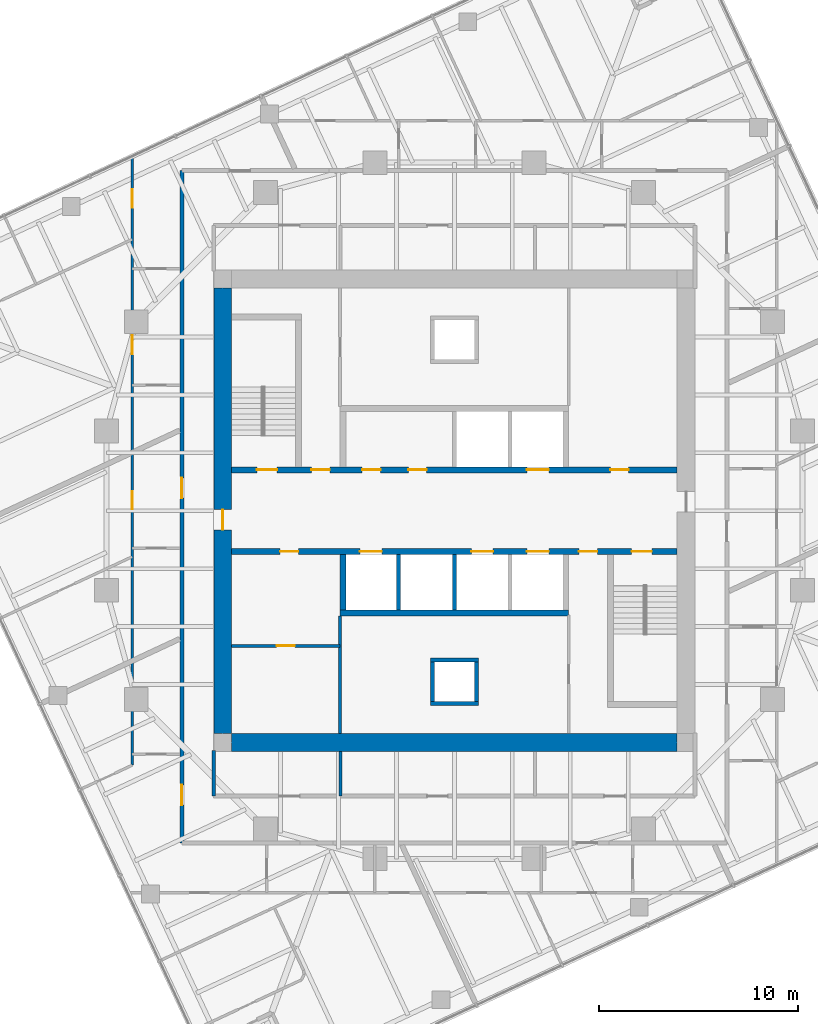
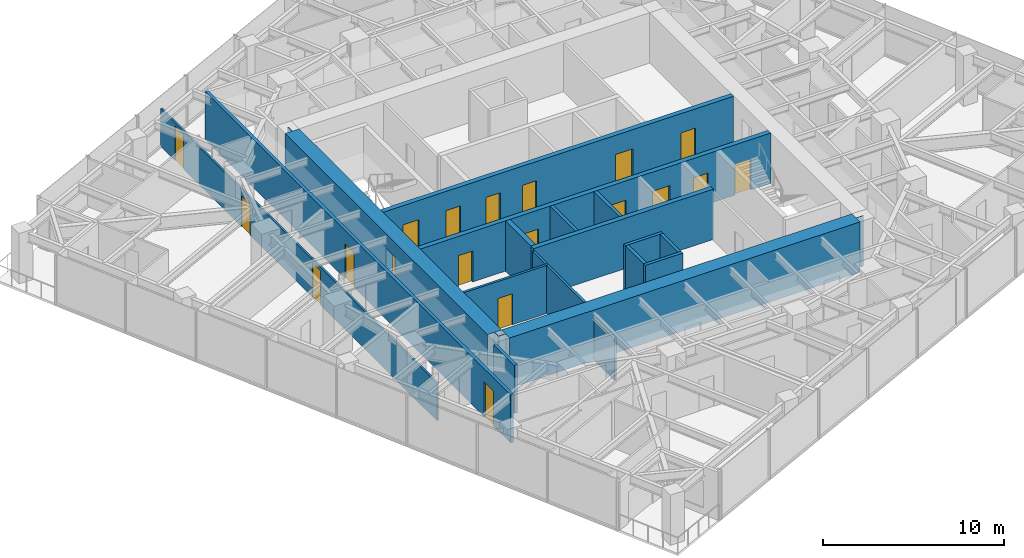
# One storey, part 8 of 12: 19 doors, 18 walls, 19 openings.
"""IFC4 building model written with IfcOpenShell, lengths in metres."""

from ifc_helpers import new_model, si_unit, direction, frame, frame_2d, origin, place, context, subcontext, project, spatial, polyline, rectangle, outline, extrude, material, layer, layer_set, type_object, element, fill, save


model = new_model("IFC4")

# Units and contexts
model_context = context("Model", 3, precision=1e-05, world=origin(), true_north=direction((0.0, 1.0)))
body_context = subcontext(model_context, "Body", "Model", "MODEL_VIEW")
ifc_project = project(units=[si_unit("LENGTHUNIT", "METRE"), si_unit("AREAUNIT", "SQUARE_METRE"), si_unit("VOLUMEUNIT", "CUBIC_METRE"), si_unit("PLANEANGLEUNIT", "RADIAN"), si_unit("MASSUNIT", "GRAM", prefix="KILO")], contexts=[model_context])

# Site, building, storey
site_placement = place(None, origin())
site = spatial("IfcSite", under=ifc_project, at=site_placement, CompositionType="ELEMENT")
building_placement = place(site_placement, origin())
building = spatial("IfcBuilding", under=site, at=building_placement, Name="Torsade Residences", CompositionType="ELEMENT")
storey_placement = place(building_placement, frame((0.0, 0.0, 186.199951171875)))
storey = spatial("IfcBuildingStorey", under=building, at=storey_placement, Name="L51", CompositionType="ELEMENT", Elevation=186.199951171875)

# Wall, openings, doors
ifc_material_1 = material(Name="Concrete 80 MPa", Category="concrete")
ifc_layer_1 = layer(ifc_material_1, 0.300048828125)
ifc_layer_set_1 = layer_set([ifc_layer_1], Name="Concrete 80 MPa")
wall_type_1 = type_object("IfcWallType", Name="CORE INTERNAL WALL 300", PredefinedType="SHEAR", material=ifc_layer_set_1)
wall_1_placement = place(storey_placement, frame((28.800048828125, 32.050048828125, 0.0), z_axis=(0.0, 0.0, 1.0), x_axis=(1.0, 0.0, 0.0)))
wall_1 = element("IfcWall", 1, at=wall_1_placement, inside=storey, type_object=wall_type_1, Name="Core wall LN L51", PredefinedType="SHEAR", context=body_context, shape_type="SweptSolid", body=[
    extrude(rectangle(XDim=22.39990234375, YDim=0.300048828125, at=frame_2d((11.199951171875, 0.0))), origin(), (0.0, 0.0, 1.0), 3.400146484375),
])
opening_1_placement = place(wall_1_placement, frame((19.0400390625, 0.0, 0.0)))
opening_1 = element("IfcOpeningElement", 2, at=opening_1_placement, cuts=wall_1, Name="Opening D06", PredefinedType="OPENING", context=body_context, shape_type="SweptSolid", body=[
    extrude(rectangle(XDim=0.919921875, YDim=2.10009765625, at=frame_2d((0.4599609375, 1.050048828125))), frame((0.0, 0.159912109375, 0.0), z_axis=(0.0, -1.0, 0.0), x_axis=(1.0, 0.0, 0.0)), (0.0, 0.0, 1.0), 0.320068359375),
])
opening_2_placement = place(wall_1_placement, frame((1.264892578125, 0.0, 0.0)))
opening_2 = element("IfcOpeningElement", 3, at=opening_2_placement, cuts=wall_1, Name="Opening D03", PredefinedType="OPENING", context=body_context, shape_type="SweptSolid", body=[
    extrude(rectangle(XDim=1.02001953125, YDim=2.10009765625, at=frame_2d((0.510009765625, 1.050048828125))), frame((0.0, 0.159912109375, 0.0), z_axis=(0.0, -1.0, 0.0), x_axis=(1.0, 0.0, 0.0)), (0.0, 0.0, 1.0), 0.320068359375),
])
opening_3_placement = place(wall_1_placement, frame((4.014892578125, 0.0, 0.0)))
opening_3 = element("IfcOpeningElement", 4, at=opening_3_placement, cuts=wall_1, Name="Opening D06", PredefinedType="OPENING", context=body_context, shape_type="SweptSolid", body=[
    extrude(rectangle(XDim=0.919921875, YDim=2.10009765625, at=frame_2d((0.4599609375, 1.050048828125))), frame((0.0, 0.159912109375, 0.0), z_axis=(0.0, -1.0, 0.0), x_axis=(1.0, 0.0, 0.0)), (0.0, 0.0, 1.0), 0.320068359375),
])
opening_4_placement = place(wall_1_placement, frame((6.56494140625, 0.0, 0.0)))
opening_4 = element("IfcOpeningElement", 5, at=opening_4_placement, cuts=wall_1, Name="Opening D06", PredefinedType="OPENING", context=body_context, shape_type="SweptSolid", body=[
    extrude(rectangle(XDim=0.919921875, YDim=2.10009765625, at=frame_2d((0.4599609375, 1.050048828125))), frame((0.0, 0.159912109375, 0.0), z_axis=(0.0, -1.0, 0.0), x_axis=(1.0, 0.0, 0.0)), (0.0, 0.0, 1.0), 0.320068359375),
])
opening_5_placement = place(wall_1_placement, frame((8.889892578125, 0.0, 0.0)))
opening_5 = element("IfcOpeningElement", 6, at=opening_5_placement, cuts=wall_1, Name="Opening D06", PredefinedType="OPENING", context=body_context, shape_type="SweptSolid", body=[
    extrude(rectangle(XDim=0.919921875, YDim=2.10009765625, at=frame_2d((0.4599609375, 1.050048828125))), frame((0.0, 0.159912109375, 0.0), z_axis=(0.0, -1.0, 0.0), x_axis=(1.0, 0.0, 0.0)), (0.0, 0.0, 1.0), 0.320068359375),
])
opening_6_placement = place(wall_1_placement, frame((14.85009765625, 0.0, 0.0)))
opening_6 = element("IfcOpeningElement", 7, at=opening_6_placement, cuts=wall_1, Name="Opening LD", PredefinedType="OPENING", context=body_context, shape_type="SweptSolid", body=[
    extrude(rectangle(XDim=1.10009765625, YDim=2.10009765625, at=frame_2d((0.550048828125, 1.050048828125))), frame((0.0, 0.159912109375, 0.0), z_axis=(0.0, -1.0, 0.0), x_axis=(1.0, 0.0, 0.0)), (0.0, 0.0, 1.0), 0.320068359375),
])
ifc_material_2 = material(Name="Steel-framed fire door", Category="steel")
door_type_1 = type_object("IfcDoorType", Name="FIRE DOOR 1020", OperationType="NOTDEFINED", PredefinedType="DOOR", material=ifc_material_2)
door_1_placement = place(opening_2_placement, origin())
door_1 = element("IfcDoor", 8, at=door_1_placement, inside=storey, type_object=door_type_1, Name="Exit door to fire-isolated stair ST1 L51", OperationType="SINGLE_SWING_RIGHT", OverallHeight=2.10009765625, OverallWidth=1.02001953125, PredefinedType="DOOR", context=body_context, shape_type="SweptSolid", body=[
    extrude(rectangle(XDim=1.02001953125, YDim=2.10009765625, at=frame_2d((0.510009765625, 1.050048828125))), frame((0.0, 0.02490234375, 0.0), z_axis=(0.0, -1.0, 0.0), x_axis=(1.0, 0.0, 0.0)), (0.0, 0.0, 1.0), 0.050048828125),
])
fill(opening_2, door_1)
ifc_material_3 = material(Name="Steel-framed fire door", Category="steel")
door_type_2 = type_object("IfcDoorType", Name="FIRE DOOR 920", OperationType="NOTDEFINED", PredefinedType="DOOR", material=ifc_material_3)
door_2_placement = place(opening_1_placement, origin())
door_2 = element("IfcDoor", 9, at=door_2_placement, inside=storey, type_object=door_type_2, Name="Door Lift lobby to Refuse room", OperationType="SINGLE_SWING_LEFT", OverallHeight=2.10009765625, OverallWidth=0.919921875, PredefinedType="DOOR", context=body_context, shape_type="SweptSolid", body=[
    extrude(rectangle(XDim=0.919921875, YDim=2.10009765625, at=frame_2d((0.4599609375, 1.050048828125))), frame((0.0, 0.02490234375, 0.0), z_axis=(0.0, -1.0, 0.0), x_axis=(1.0, 0.0, 0.0)), (0.0, 0.0, 1.0), 0.050048828125),
])
fill(opening_1, door_2)
door_3_placement = place(opening_3_placement, origin())
door_3 = element("IfcDoor", 10, at=door_3_placement, inside=storey, type_object=door_type_2, Name="Door Lift lobby to Main switchboard store", OperationType="SINGLE_SWING_LEFT", OverallHeight=2.10009765625, OverallWidth=0.919921875, PredefinedType="DOOR", context=body_context, shape_type="SweptSolid", body=[
    extrude(rectangle(XDim=0.919921875, YDim=2.10009765625, at=frame_2d((0.4599609375, 1.050048828125))), frame((0.0, 0.02490234375, 0.0), z_axis=(0.0, -1.0, 0.0), x_axis=(1.0, 0.0, 0.0)), (0.0, 0.0, 1.0), 0.050048828125),
])
fill(opening_3, door_3)
door_4_placement = place(opening_4_placement, origin())
door_4 = element("IfcDoor", 11, at=door_4_placement, inside=storey, type_object=door_type_2, Name="Door Lift lobby to Building manager store L51A", OperationType="SINGLE_SWING_LEFT", OverallHeight=2.10009765625, OverallWidth=0.919921875, PredefinedType="DOOR", context=body_context, shape_type="SweptSolid", body=[
    extrude(rectangle(XDim=0.919921875, YDim=2.10009765625, at=frame_2d((0.4599609375, 1.050048828125))), frame((0.0, 0.02490234375, 0.0), z_axis=(0.0, -1.0, 0.0), x_axis=(1.0, 0.0, 0.0)), (0.0, 0.0, 1.0), 0.050048828125),
])
fill(opening_4, door_4)
door_5_placement = place(opening_5_placement, origin())
door_5 = element("IfcDoor", 12, at=door_5_placement, inside=storey, type_object=door_type_2, Name="Door Lift lobby to Building manager store L51A", OperationType="SINGLE_SWING_LEFT", OverallHeight=2.10009765625, OverallWidth=0.919921875, PredefinedType="DOOR", context=body_context, shape_type="SweptSolid", body=[
    extrude(rectangle(XDim=0.919921875, YDim=2.10009765625, at=frame_2d((0.4599609375, 1.050048828125))), frame((0.0, 0.02490234375, 0.0), z_axis=(0.0, -1.0, 0.0), x_axis=(1.0, 0.0, 0.0)), (0.0, 0.0, 1.0), 0.050048828125),
])
fill(opening_5, door_5)
ifc_material_4 = material(Name="Stainless steel lift landing door", Category="steel")
door_type_3 = type_object("IfcDoorType", Name="LIFT LANDING DOOR 1100", OperationType="SLIDING_TO_LEFT", PredefinedType="DOOR", material=ifc_material_4)
door_6_placement = place(opening_6_placement, origin())
door_6 = element("IfcDoor", 13, at=door_6_placement, inside=storey, type_object=door_type_3, Name="Lift FL1 landing door L51", OperationType="SLIDING_TO_LEFT", OverallHeight=2.10009765625, OverallWidth=1.10009765625, PredefinedType="DOOR", context=body_context, shape_type="SweptSolid", body=[
    extrude(rectangle(XDim=1.10009765625, YDim=2.10009765625, at=frame_2d((0.550048828125, 1.050048828125))), frame((0.0, 0.02490234375, 0.0), z_axis=(0.0, -1.0, 0.0), x_axis=(1.0, 0.0, 0.0)), (0.0, 0.0, 1.0), 0.050048828125),
])
fill(opening_6, door_6)

wall_2_placement = place(storey_placement, frame((51.199951171875, 27.949951171875, 0.0), z_axis=(0.0, 0.0, 1.0), x_axis=(-1.0, 0.0, 0.0)))
wall_2 = element("IfcWall", 14, at=wall_2_placement, inside=storey, type_object=wall_type_1, Name="Core wall LS L51", PredefinedType="SHEAR", context=body_context, shape_type="SweptSolid", body=[
    extrude(rectangle(XDim=22.39990234375, YDim=0.300048828125, at=frame_2d((11.199951171875, 0.0))), origin(), (0.0, 0.0, 1.0), 3.400146484375),
])
opening_7_placement = place(wall_2_placement, frame((19.0400390625, 0.0, 0.0)))
opening_7 = element("IfcOpeningElement", 15, at=opening_7_placement, cuts=wall_2, Name="Opening D06", PredefinedType="OPENING", context=body_context, shape_type="SweptSolid", body=[
    extrude(rectangle(XDim=0.919921875, YDim=2.10009765625, at=frame_2d((0.4599609375, 1.050048828125))), frame((0.0, 0.159912109375, 0.0), z_axis=(0.0, -1.0, 0.0), x_axis=(1.0, 0.0, 0.0)), (0.0, 0.0, 1.0), 0.320068359375),
])
opening_8_placement = place(wall_2_placement, frame((1.264892578125, 0.0, 0.0)))
opening_8 = element("IfcOpeningElement", 16, at=opening_8_placement, cuts=wall_2, Name="Opening D03", PredefinedType="OPENING", context=body_context, shape_type="SweptSolid", body=[
    extrude(rectangle(XDim=1.02001953125, YDim=2.10009765625, at=frame_2d((0.510009765625, 1.050048828125))), frame((0.0, 0.159912109375, 0.0), z_axis=(0.0, -1.0, 0.0), x_axis=(1.0, 0.0, 0.0)), (0.0, 0.0, 1.0), 0.320068359375),
])
opening_9_placement = place(wall_2_placement, frame((4.014892578125, 0.0, 0.0)))
opening_9 = element("IfcOpeningElement", 17, at=opening_9_placement, cuts=wall_2, Name="Opening D06", PredefinedType="OPENING", context=body_context, shape_type="SweptSolid", body=[
    extrude(rectangle(XDim=0.919921875, YDim=2.10009765625, at=frame_2d((0.4599609375, 1.050048828125))), frame((0.0, 0.159912109375, 0.0), z_axis=(0.0, -1.0, 0.0), x_axis=(1.0, 0.0, 0.0)), (0.0, 0.0, 1.0), 0.320068359375),
])
opening_10_placement = place(wall_2_placement, frame((6.449951171875, 0.0, 0.0)))
opening_10 = element("IfcOpeningElement", 18, at=opening_10_placement, cuts=wall_2, Name="Opening LD", PredefinedType="OPENING", context=body_context, shape_type="SweptSolid", body=[
    extrude(rectangle(XDim=1.10009765625, YDim=2.10009765625, at=frame_2d((0.550048828125, 1.050048828125))), frame((0.0, 0.159912109375, 0.0), z_axis=(0.0, -1.0, 0.0), x_axis=(1.0, 0.0, 0.0)), (0.0, 0.0, 1.0), 0.320068359375),
])
opening_11_placement = place(wall_2_placement, frame((9.25, 0.0, 0.0)))
opening_11 = element("IfcOpeningElement", 19, at=opening_11_placement, cuts=wall_2, Name="Opening LD", PredefinedType="OPENING", context=body_context, shape_type="SweptSolid", body=[
    extrude(rectangle(XDim=1.10009765625, YDim=2.10009765625, at=frame_2d((0.550048828125, 1.050048828125))), frame((0.0, 0.159912109375, 0.0), z_axis=(0.0, -1.0, 0.0), x_axis=(1.0, 0.0, 0.0)), (0.0, 0.0, 1.0), 0.320068359375),
])
opening_12_placement = place(wall_2_placement, frame((14.85009765625, 0.0, 0.0)))
opening_12 = element("IfcOpeningElement", 20, at=opening_12_placement, cuts=wall_2, Name="Opening LD", PredefinedType="OPENING", context=body_context, shape_type="SweptSolid", body=[
    extrude(rectangle(XDim=1.10009765625, YDim=2.10009765625, at=frame_2d((0.550048828125, 1.050048828125))), frame((0.0, 0.159912109375, 0.0), z_axis=(0.0, -1.0, 0.0), x_axis=(1.0, 0.0, 0.0)), (0.0, 0.0, 1.0), 0.320068359375),
])
door_7_placement = place(opening_8_placement, origin())
door_7 = element("IfcDoor", 21, at=door_7_placement, inside=storey, type_object=door_type_1, Name="Exit door to fire-isolated stair ST2 L51", OperationType="SINGLE_SWING_RIGHT", OverallHeight=2.10009765625, OverallWidth=1.02001953125, PredefinedType="DOOR", context=body_context, shape_type="SweptSolid", body=[
    extrude(rectangle(XDim=1.02001953125, YDim=2.10009765625, at=frame_2d((0.510009765625, 1.050048828125))), frame((0.0, 0.02490234375, 0.0), z_axis=(0.0, -1.0, 0.0), x_axis=(1.0, 0.0, 0.0)), (0.0, 0.0, 1.0), 0.050048828125),
])
fill(opening_8, door_7)
door_8_placement = place(opening_7_placement, origin())
door_8 = element("IfcDoor", 22, at=door_8_placement, inside=storey, type_object=door_type_2, Name="Door Lift lobby to Cleaner store", OperationType="SINGLE_SWING_LEFT", OverallHeight=2.10009765625, OverallWidth=0.919921875, PredefinedType="DOOR", context=body_context, shape_type="SweptSolid", body=[
    extrude(rectangle(XDim=0.919921875, YDim=2.10009765625, at=frame_2d((0.4599609375, 1.050048828125))), frame((0.0, 0.02490234375, 0.0), z_axis=(0.0, -1.0, 0.0), x_axis=(1.0, 0.0, 0.0)), (0.0, 0.0, 1.0), 0.050048828125),
])
fill(opening_7, door_8)
door_9_placement = place(opening_9_placement, origin())
door_9 = element("IfcDoor", 23, at=door_9_placement, inside=storey, type_object=door_type_2, Name="Door Lift lobby to Security and data store", OperationType="SINGLE_SWING_RIGHT", OverallHeight=2.10009765625, OverallWidth=0.919921875, PredefinedType="DOOR", context=body_context, shape_type="SweptSolid", body=[
    extrude(rectangle(XDim=0.919921875, YDim=2.10009765625, at=frame_2d((0.4599609375, 1.050048828125))), frame((0.0, 0.02490234375, 0.0), z_axis=(0.0, -1.0, 0.0), x_axis=(1.0, 0.0, 0.0)), (0.0, 0.0, 1.0), 0.050048828125),
])
fill(opening_9, door_9)
door_10_placement = place(opening_10_placement, origin())
door_10 = element("IfcDoor", 24, at=door_10_placement, inside=storey, type_object=door_type_3, Name="Lift LB1 landing door L51", OperationType="SLIDING_TO_LEFT", OverallHeight=2.10009765625, OverallWidth=1.10009765625, PredefinedType="DOOR", context=body_context, shape_type="SweptSolid", body=[
    extrude(rectangle(XDim=1.10009765625, YDim=2.10009765625, at=frame_2d((0.550048828125, 1.050048828125))), frame((0.0, 0.02490234375, 0.0), z_axis=(0.0, -1.0, 0.0), x_axis=(1.0, 0.0, 0.0)), (0.0, 0.0, 1.0), 0.050048828125),
])
fill(opening_10, door_10)
door_11_placement = place(opening_11_placement, origin())
door_11 = element("IfcDoor", 25, at=door_11_placement, inside=storey, type_object=door_type_3, Name="Lift LB2 landing door L51", OperationType="SLIDING_TO_LEFT", OverallHeight=2.10009765625, OverallWidth=1.10009765625, PredefinedType="DOOR", context=body_context, shape_type="SweptSolid", body=[
    extrude(rectangle(XDim=1.10009765625, YDim=2.10009765625, at=frame_2d((0.550048828125, 1.050048828125))), frame((0.0, 0.02490234375, 0.0), z_axis=(0.0, -1.0, 0.0), x_axis=(1.0, 0.0, 0.0)), (0.0, 0.0, 1.0), 0.050048828125),
])
fill(opening_11, door_11)
door_12_placement = place(opening_12_placement, origin())
door_12 = element("IfcDoor", 26, at=door_12_placement, inside=storey, type_object=door_type_3, Name="Lift FL2 landing door L51", OperationType="SLIDING_TO_LEFT", OverallHeight=2.10009765625, OverallWidth=1.10009765625, PredefinedType="DOOR", context=body_context, shape_type="SweptSolid", body=[
    extrude(rectangle(XDim=1.10009765625, YDim=2.10009765625, at=frame_2d((0.550048828125, 1.050048828125))), frame((0.0, 0.02490234375, 0.0), z_axis=(0.0, -1.0, 0.0), x_axis=(1.0, 0.0, 0.0)), (0.0, 0.0, 1.0), 0.050048828125),
])
fill(opening_12, door_12)

# Walls
wall_3_placement = place(storey_placement, frame((45.75, 24.85009765625, 0.0), z_axis=(0.0, 0.0, 1.0), x_axis=(-1.0, 0.0, 0.0)))
element("IfcWall", 27, at=wall_3_placement, inside=storey, type_object=wall_type_1, Name="Core wall BS L51", PredefinedType="SHEAR", context=body_context, shape_type="SweptSolid", body=[
    extrude(rectangle(XDim=11.5, YDim=0.300048828125, at=frame_2d((5.75, 0.0))), origin(), (0.0, 0.0, 1.0), 3.400146484375),
])
wall_4_placement = place(storey_placement, frame((34.39990234375, 27.800048828125, 0.0), z_axis=(0.0, 0.0, 1.0), x_axis=(0.0, -1.0, 0.0)))
element("IfcWall", 28, at=wall_4_placement, inside=storey, type_object=wall_type_1, Name="Core wall DS4 L51", PredefinedType="SHEAR", context=body_context, shape_type="SweptSolid", body=[
    extrude(rectangle(XDim=2.800048828125, YDim=0.300048828125, at=frame_2d((1.39990234375, 0.0))), origin(), (0.0, 0.0, 1.0), 3.400146484375),
])
ifc_material_5 = material(Name="Concrete 80 MPa", Category="concrete")
ifc_layer_2 = layer(ifc_material_5, 0.89990234375)
ifc_layer_set_2 = layer_set([ifc_layer_2], Name="Concrete 80 MPa")
wall_type_2 = type_object("IfcWallType", Name="CORE WALL 900", PredefinedType="SHEAR", material=ifc_layer_set_2)
wall_5_placement = place(storey_placement, frame((51.199951171875, 18.35009765625, 0.0), z_axis=(0.0, 0.0, 1.0), x_axis=(-1.0, 0.0, 0.0)))
element("IfcWall", 29, at=wall_5_placement, inside=storey, type_object=wall_type_2, Name="Core wall S L51", PredefinedType="SHEAR", context=body_context, shape_type="SweptSolid", body=[
    extrude(outline(polyline([(0.0, -0.449951171875), (22.39990234375, -0.449951171875), (22.39990234375, -0.02490234375), (22.849853515625, -0.02490234375), (22.849853515625, 0.02490234375), (22.39990234375, 0.02490234375), (22.39990234375, 0.449951171875), (0.0, 0.449951171875), (0.0, 0.02490234375), (-0.449951171875, 0.02490234375), (-0.449951171875, -0.02490234375), (0.0, -0.02490234375), (0.0, -0.449951171875)])), origin(), (0.0, 0.0, 1.0), 3.400146484375),
])

# Wall, opening, door
wall_6_placement = place(storey_placement, frame((28.35009765625, 41.199951171875, 0.0), z_axis=(0.0, 0.0, 1.0), x_axis=(0.0, -1.0, 0.0)))
wall_6 = element("IfcWall", 30, at=wall_6_placement, inside=storey, type_object=wall_type_2, Name="Core wall W L51", PredefinedType="SHEAR", context=body_context, shape_type="SweptSolid", body=[
    extrude(outline(polyline([(0.0, -0.449951171875), (22.39990234375, -0.449951171875), (22.39990234375, -0.02490234375), (22.849853515625, -0.02490234375), (22.849853515625, 0.02490234375), (22.39990234375, 0.02490234375), (22.39990234375, 0.449951171875), (0.0, 0.449951171875), (0.0, 0.02490234375), (-0.449951171875, 0.02490234375), (-0.449951171875, -0.02490234375), (0.0, -0.02490234375), (0.0, -0.449951171875)])), origin(), (0.0, 0.0, 1.0), 3.400146484375),
])
opening_13_placement = place(wall_6_placement, frame((11.139892578125, 0.0, 0.0)))
opening_13 = element("IfcOpeningElement", 31, at=opening_13_placement, cuts=wall_6, Name="Opening D04", PredefinedType="OPENING", context=body_context, shape_type="SweptSolid", body=[
    extrude(rectangle(XDim=1.02001953125, YDim=2.39990234375, at=frame_2d((0.510009765625, 1.199951171875))), frame((0.0, 0.4599609375, 0.0), z_axis=(0.0, -1.0, 0.0), x_axis=(1.0, 0.0, 0.0)), (0.0, 0.0, 1.0), 0.919921875),
])
ifc_material_6 = material(Name="Steel-framed fire door", Category="steel")
door_type_4 = type_object("IfcDoorType", Name="LOBBY SMOKE DOOR 1020x2400", OperationType="NOTDEFINED", PredefinedType="DOOR", material=ifc_material_6)
door_13_placement = place(opening_13_placement, origin())
door_13 = element("IfcDoor", 32, at=door_13_placement, inside=storey, type_object=door_type_4, Name="Lift lobby door W L51", OperationType="SINGLE_SWING_RIGHT", OverallHeight=2.39990234375, OverallWidth=1.02001953125, PredefinedType="DOOR", context=body_context, shape_type="SweptSolid", body=[
    extrude(rectangle(XDim=1.02001953125, YDim=2.39990234375, at=frame_2d((0.510009765625, 1.199951171875))), frame((0.0, 0.02490234375, 0.0), z_axis=(0.0, -1.0, 0.0), x_axis=(1.0, 0.0, 0.0)), (0.0, 0.0, 1.0), 0.050048828125),
])
fill(opening_13, door_13)

# Wall, openings, doors
ifc_material_7 = material(Name="Plasterboard on steel stud", Category="steel")
ifc_layer_3 = layer(ifc_material_7, 0.199951171875)
ifc_layer_set_3 = layer_set([ifc_layer_3], Name="Plasterboard on steel stud")
wall_type_3 = type_object("IfcWallType", Name="CORRIDOR WALL 200", PredefinedType="PARTITIONING", material=ifc_layer_set_3)
wall_7_placement = place(storey_placement, frame((26.300048828125, 47.10009765625, 0.0), z_axis=(0.0, 0.0, 1.0), x_axis=(0.0, -1.0, 0.0)))
wall_7 = element("IfcWall", 33, at=wall_7_placement, inside=storey, type_object=wall_type_3, Name="Corridor wall L51", PredefinedType="PARTITIONING", context=body_context, shape_type="SweptSolid", body=[
    extrude(rectangle(XDim=33.800048828125, YDim=0.199951171875, at=frame_2d((16.89990234375, 0.0))), origin(), (0.0, 0.0, 1.0), 3.25),
])
opening_14_placement = place(wall_7_placement, frame((15.44873046875, 0.0, 0.0)))
opening_14 = element("IfcOpeningElement", 34, at=opening_14_placement, cuts=wall_7, Name="Opening D01", PredefinedType="OPENING", context=body_context, shape_type="SweptSolid", body=[
    extrude(rectangle(XDim=1.02001953125, YDim=2.340087890625, at=frame_2d((0.510009765625, 1.169921875))), frame((0.0, 0.10986328125, 0.0), z_axis=(0.0, -1.0, 0.0), x_axis=(1.0, 0.0, 0.0)), (0.0, 0.0, 1.0), 0.219970703125),
])
opening_15_placement = place(wall_7_placement, frame((30.882568359375, 0.0, 0.0)))
opening_15 = element("IfcOpeningElement", 35, at=opening_15_placement, cuts=wall_7, Name="Opening D01", PredefinedType="OPENING", context=body_context, shape_type="SweptSolid", body=[
    extrude(rectangle(XDim=1.02001953125, YDim=2.340087890625, at=frame_2d((0.510009765625, 1.169921875))), frame((0.0, 0.10986328125, 0.0), z_axis=(0.0, -1.0, 0.0), x_axis=(1.0, 0.0, 0.0)), (0.0, 0.0, 1.0), 0.219970703125),
])
ifc_material_8 = material(Name="Solid-core timber fire door", Category="wood")
door_type_5 = type_object("IfcDoorType", Name="APARTMENT ENTRY DOOR 1020x2340", OperationType="NOTDEFINED", PredefinedType="DOOR", material=ifc_material_8)
door_14_placement = place(opening_14_placement, origin())
door_14 = element("IfcDoor", 36, at=door_14_placement, inside=storey, type_object=door_type_5, Name="Door Residential corridor to Kitchen and dining", OperationType="SINGLE_SWING_RIGHT", OverallHeight=2.340087890625, OverallWidth=1.02001953125, PredefinedType="DOOR", context=body_context, shape_type="SweptSolid", body=[
    extrude(rectangle(XDim=1.02001953125, YDim=2.340087890625, at=frame_2d((0.510009765625, 1.169921875))), frame((0.0, 0.02490234375, 0.0), z_axis=(0.0, -1.0, 0.0), x_axis=(1.0, 0.0, 0.0)), (0.0, 0.0, 1.0), 0.050048828125),
])
fill(opening_14, door_14)
door_15_placement = place(opening_15_placement, origin())
door_15 = element("IfcDoor", 37, at=door_15_placement, inside=storey, type_object=door_type_5, Name="Door Residential corridor to Kitchen and dining", OperationType="SINGLE_SWING_RIGHT", OverallHeight=2.340087890625, OverallWidth=1.02001953125, PredefinedType="DOOR", context=body_context, shape_type="SweptSolid", body=[
    extrude(rectangle(XDim=1.02001953125, YDim=2.340087890625, at=frame_2d((0.510009765625, 1.169921875))), frame((0.0, 0.02490234375, 0.0), z_axis=(0.0, -1.0, 0.0), x_axis=(1.0, 0.0, 0.0)), (0.0, 0.0, 1.0), 0.050048828125),
])
fill(opening_15, door_15)

# Walls
wall_8_placement = place(storey_placement, frame((27.89990234375, 17.949951171875, 0.0), z_axis=(0.0, 0.0, 1.0), x_axis=(0.0, -1.0, 0.0)))
element("IfcWall", 38, at=wall_8_placement, inside=storey, type_object=wall_type_3, Name="Corridor wall L51", PredefinedType="PARTITIONING", context=body_context, shape_type="SweptSolid", body=[
    extrude(rectangle(XDim=2.300048828125, YDim=0.199951171875, at=frame_2d((1.14990234375, 0.0))), origin(), (0.0, 0.0, 1.0), 3.25),
])
ifc_material_9 = material(Name="Reinforced blockwork", Category="masonry")
ifc_layer_4 = layer(ifc_material_9, 0.199951171875)
ifc_layer_set_4 = layer_set([ifc_layer_4], Name="Reinforced blockwork")
wall_type_4 = type_object("IfcWallType", Name="LIFT SHAFT DIVIDING WALL 200", PredefinedType="SOLIDWALL", material=ifc_layer_set_4)
for number, where, z_axis, x_axis, name in (
    (39, (40.0, 27.800048828125, 0.0), (0.0, 0.0, 1.0), (0.0, -1.0, 0.0), "Core wall DS2 L51"),
    (40, (37.199951171875, 27.800048828125, 0.0), (0.0, 0.0, 1.0), (0.0, -1.0, 0.0), "Core wall DS3 L51"),
):
    element("IfcWall", number, at=place(storey_placement, frame(where, z_axis=z_axis, x_axis=x_axis)), inside=storey, type_object=wall_type_4, Name=name, PredefinedType="SOLIDWALL", context=body_context, shape_type="SweptSolid", body=[
        extrude(rectangle(XDim=2.800048828125, YDim=0.199951171875, at=frame_2d((1.39990234375, 0.0))), origin(), (0.0, 0.0, 1.0), 3.400146484375),
    ])

# Wall, openings, doors
ifc_material_10 = material(Name="Plasterboard on steel stud", Category="steel")
ifc_layer_5 = layer(ifc_material_10, 0.1201171875)
ifc_layer_set_5 = layer_set([ifc_layer_5], Name="Plasterboard on steel stud")
wall_type_5 = type_object("IfcWallType", Name="PARTITION 120", PredefinedType="PARTITIONING", material=ifc_layer_set_5)
wall_9_placement = place(storey_placement, frame((23.800048828125, 17.204833984375, 0.0), z_axis=(0.0, 0.0, 1.0), x_axis=(0.0, 1.0, 0.0)))
wall_9 = element("IfcWall", 41, at=wall_9_placement, inside=storey, type_object=wall_type_5, Name="Partition L51", PredefinedType="PARTITIONING", context=body_context, shape_type="SweptSolid", body=[
    extrude(rectangle(XDim=30.574462890625, YDim=0.1201171875, at=frame_2d((15.287109375, 0.0))), origin(), (0.0, 0.0, 1.0), 2.550048828125),
])
opening_16_placement = place(wall_9_placement, frame((12.857421875, 0.0, 0.0)))
opening_16 = element("IfcOpeningElement", 42, at=opening_16_placement, cuts=wall_9, Name="Opening D02", PredefinedType="OPENING", context=body_context, shape_type="SweptSolid", body=[
    extrude(rectangle(XDim=0.919921875, YDim=2.340087890625, at=frame_2d((0.4599609375, 1.169921875))), frame((0.0, 0.070068359375, 0.0), z_axis=(0.0, -1.0, 0.0), x_axis=(1.0, 0.0, 0.0)), (0.0, 0.0, 1.0), 0.14013671875),
])
opening_17_placement = place(wall_9_placement, frame((28.0419921875, 0.0, 0.0)))
opening_17 = element("IfcOpeningElement", 43, at=opening_17_placement, cuts=wall_9, Name="Opening D02", PredefinedType="OPENING", context=body_context, shape_type="SweptSolid", body=[
    extrude(rectangle(XDim=0.919921875, YDim=2.340087890625, at=frame_2d((0.4599609375, 1.169921875))), frame((0.0, 0.070068359375, 0.0), z_axis=(0.0, -1.0, 0.0), x_axis=(1.0, 0.0, 0.0)), (0.0, 0.0, 1.0), 0.14013671875),
])
opening_18_placement = place(wall_9_placement, frame((20.6552734375, 0.0, 0.0)))
opening_18 = element("IfcOpeningElement", 44, at=opening_18_placement, cuts=wall_9, Name="Opening D05", PredefinedType="OPENING", context=body_context, shape_type="SweptSolid", body=[
    extrude(rectangle(XDim=0.9599609375, YDim=2.10009765625, at=frame_2d((0.47998046875, 1.050048828125))), frame((0.0, 0.070068359375, 0.0), z_axis=(0.0, -1.0, 0.0), x_axis=(1.0, 0.0, 0.0)), (0.0, 0.0, 1.0), 0.14013671875),
])
ifc_material_11 = material(Name="Hollow-core timber door in a steel cavity frame", Category="steel")
door_type_6 = type_object("IfcDoorType", Name="BATHROOM CAVITY SLIDING DOOR 960", OperationType="SLIDING_TO_LEFT", PredefinedType="DOOR", material=ifc_material_11)
door_16_placement = place(opening_18_placement, origin())
door_16 = element("IfcDoor", 45, at=door_16_placement, inside=storey, type_object=door_type_6, Name="Door Bathroom to Living room", OperationType="SLIDING_TO_LEFT", OverallHeight=2.10009765625, OverallWidth=0.9599609375, PredefinedType="DOOR", context=body_context, shape_type="SweptSolid", body=[
    extrude(rectangle(XDim=0.9599609375, YDim=2.10009765625, at=frame_2d((0.47998046875, 1.050048828125))), frame((0.0, 0.02490234375, 0.0), z_axis=(0.0, -1.0, 0.0), x_axis=(1.0, 0.0, 0.0)), (0.0, 0.0, 1.0), 0.050048828125),
])
fill(opening_18, door_16)
ifc_material_12 = material(Name="Hollow-core timber door", Category="wood")
door_type_7 = type_object("IfcDoorType", Name="INTERNAL DOOR 920x2340", OperationType="NOTDEFINED", PredefinedType="DOOR", material=ifc_material_12)
door_17_placement = place(opening_16_placement, origin())
door_17 = element("IfcDoor", 46, at=door_17_placement, inside=storey, type_object=door_type_7, Name="Door Kitchen and dining to Living room", OperationType="SINGLE_SWING_RIGHT", OverallHeight=2.340087890625, OverallWidth=0.919921875, PredefinedType="DOOR", context=body_context, shape_type="SweptSolid", body=[
    extrude(rectangle(XDim=0.919921875, YDim=2.340087890625, at=frame_2d((0.4599609375, 1.169921875))), frame((0.0, 0.02490234375, 0.0), z_axis=(0.0, -1.0, 0.0), x_axis=(1.0, 0.0, 0.0)), (0.0, 0.0, 1.0), 0.050048828125),
])
fill(opening_16, door_17)
door_18_placement = place(opening_17_placement, origin())
door_18 = element("IfcDoor", 47, at=door_18_placement, inside=storey, type_object=door_type_7, Name="Door Kitchen and dining to Bedroom 1", OperationType="SINGLE_SWING_LEFT", OverallHeight=2.340087890625, OverallWidth=0.919921875, PredefinedType="DOOR", context=body_context, shape_type="SweptSolid", body=[
    extrude(rectangle(XDim=0.919921875, YDim=2.340087890625, at=frame_2d((0.4599609375, 1.169921875))), frame((0.0, 0.02490234375, 0.0), z_axis=(0.0, -1.0, 0.0), x_axis=(1.0, 0.0, 0.0)), (0.0, 0.0, 1.0), 0.050048828125),
])
fill(opening_17, door_18)

# Walls
ifc_material_13 = material(Name="Reinforced blockwork", Category="masonry")
ifc_layer_6 = layer(ifc_material_13, 0.199951171875)
ifc_layer_set_6 = layer_set([ifc_layer_6], Name="Reinforced blockwork")
wall_type_6 = type_object("IfcWallType", Name="RISER SHAFT WALL 200", PredefinedType="SOLIDWALL", material=ifc_layer_set_6)
for number, where, z_axis, x_axis, name in (
    (48, (38.89990234375, 22.39990234375, 0.0), (0.0, 0.0, 1.0), (0.0, -1.0, 0.0), "Core wall RS2a L51"),
    (49, (41.10009765625, 22.39990234375, 0.0), (0.0, 0.0, 1.0), (0.0, -1.0, 0.0), "Core wall RS2b L51"),
):
    element("IfcWall", number, at=place(storey_placement, frame(where, z_axis=z_axis, x_axis=x_axis)), inside=storey, type_object=wall_type_6, Name=name, PredefinedType="SOLIDWALL", context=body_context, shape_type="SweptSolid", body=[
        extrude(rectangle(XDim=2.0, YDim=0.199951171875, at=frame_2d((1.0, 0.0))), origin(), (0.0, 0.0, 1.0), 3.400146484375),
    ])
for number, where, z_axis, x_axis, name in (
    (50, (38.800048828125, 22.5, 0.0), (0.0, 0.0, 1.0), (1.0, 0.0, 0.0), "Core wall RS2c L51"),
    (51, (38.800048828125, 20.300048828125, 0.0), (0.0, 0.0, 1.0), (1.0, 0.0, 0.0), "Core wall RS2d L51"),
):
    element("IfcWall", number, at=place(storey_placement, frame(where, z_axis=z_axis, x_axis=x_axis)), inside=storey, type_object=wall_type_6, Name=name, PredefinedType="SOLIDWALL", context=body_context, shape_type="SweptSolid", body=[
        extrude(rectangle(XDim=2.39990234375, YDim=0.199951171875, at=frame_2d((1.199951171875, 0.0))), origin(), (0.0, 0.0, 1.0), 3.400146484375),
    ])
ifc_material_14 = material(Name="Reinforced blockwork", Category="masonry")
ifc_layer_7 = layer(ifc_material_14, 0.14990234375)
ifc_layer_set_7 = layer_set([ifc_layer_7], Name="Reinforced blockwork")
wall_type_7 = type_object("IfcWallType", Name="SERVICE ROOM WALL 150", PredefinedType="SOLIDWALL", material=ifc_layer_set_7)
wall_10_placement = place(storey_placement, frame((34.25, 18.800048828125, 0.0), z_axis=(0.0, 0.0, 1.0), x_axis=(0.0, 1.0, 0.0)))
element("IfcWall", 52, at=wall_10_placement, inside=storey, type_object=wall_type_7, Name="Service room wall L51", PredefinedType="SOLIDWALL", context=body_context, shape_type="SweptSolid", body=[
    extrude(rectangle(XDim=5.89990234375, YDim=0.14990234375, at=frame_2d((2.949951171875, 0.0))), origin(), (0.0, 0.0, 1.0), 3.25),
])

# Wall, opening, door
wall_11_placement = place(storey_placement, frame((34.25, 23.199951171875, 0.0), z_axis=(0.0, 0.0, 1.0), x_axis=(-1.0, 0.0, 0.0)))
wall_11 = element("IfcWall", 53, at=wall_11_placement, inside=storey, type_object=wall_type_7, Name="Service room wall L51", PredefinedType="SOLIDWALL", context=body_context, shape_type="SweptSolid", body=[
    extrude(rectangle(XDim=5.449951171875, YDim=0.14990234375, at=frame_2d((2.72509765625, 0.0))), origin(), (0.0, 0.0, 1.0), 3.25),
])
opening_19_placement = place(wall_11_placement, frame((2.264892578125, 0.0, 0.0)))
opening_19 = element("IfcOpeningElement", 54, at=opening_19_placement, cuts=wall_11, Name="Opening D06", PredefinedType="OPENING", context=body_context, shape_type="SweptSolid", body=[
    extrude(rectangle(XDim=0.919921875, YDim=2.10009765625, at=frame_2d((0.4599609375, 1.050048828125))), frame((0.0, 0.0849609375, 0.0), z_axis=(0.0, -1.0, 0.0), x_axis=(1.0, 0.0, 0.0)), (0.0, 0.0, 1.0), 0.169921875),
])
door_19_placement = place(opening_19_placement, origin())
door_19 = element("IfcDoor", 55, at=door_19_placement, inside=storey, type_object=door_type_2, Name="Door Cleaner store to Building store", OperationType="SINGLE_SWING_LEFT", OverallHeight=2.10009765625, OverallWidth=0.919921875, PredefinedType="DOOR", context=body_context, shape_type="SweptSolid", body=[
    extrude(rectangle(XDim=0.919921875, YDim=2.10009765625, at=frame_2d((0.4599609375, 1.050048828125))), frame((0.0, 0.02490234375, 0.0), z_axis=(0.0, -1.0, 0.0), x_axis=(1.0, 0.0, 0.0)), (0.0, 0.0, 1.0), 0.050048828125),
])
fill(opening_19, door_19)

# Wall
wall_12_placement = place(storey_placement, frame((34.2646484375, 15.64990234375, 0.0), z_axis=(0.0, 0.0, 1.0), x_axis=(0.0, 1.0, 0.0)))
element("IfcWall", 56, at=wall_12_placement, inside=storey, type_object=wall_type_7, Name="Service room wall L51", PredefinedType="SOLIDWALL", context=body_context, shape_type="SweptSolid", body=[
    extrude(rectangle(XDim=2.25, YDim=0.14990234375, at=frame_2d((1.125, 0.0))), origin(), (0.0, 0.0, 1.0), 2.796142578125),
])

save(model, "model.ifc")
